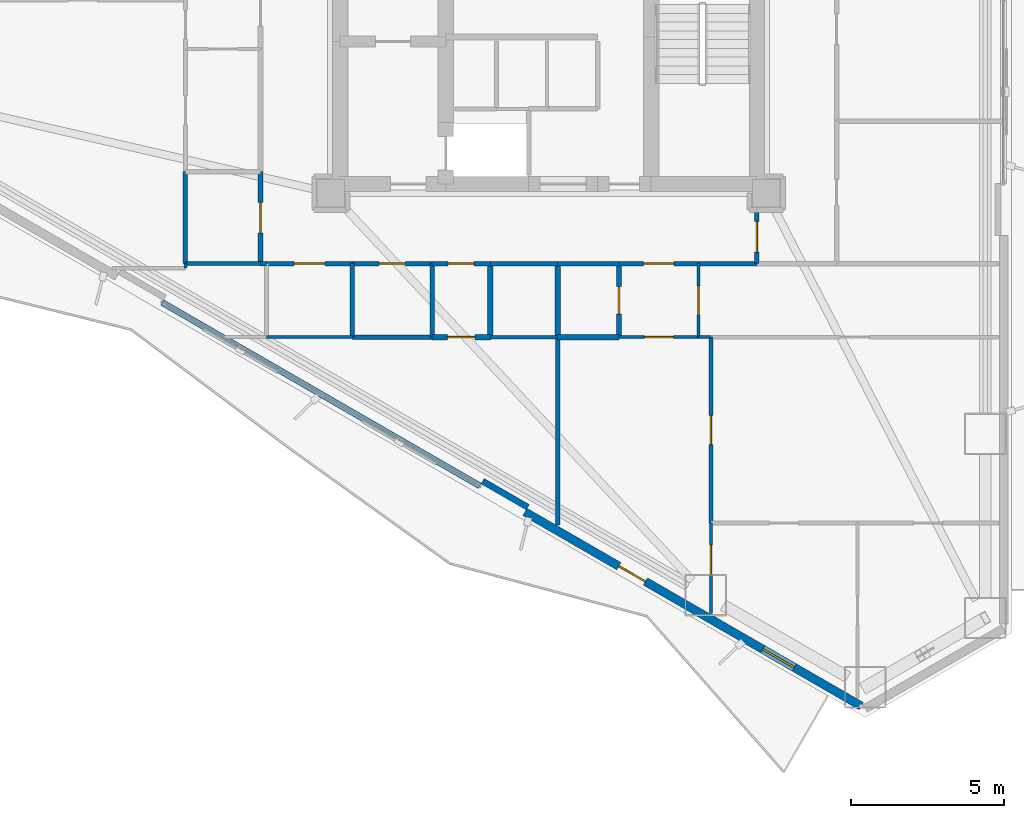
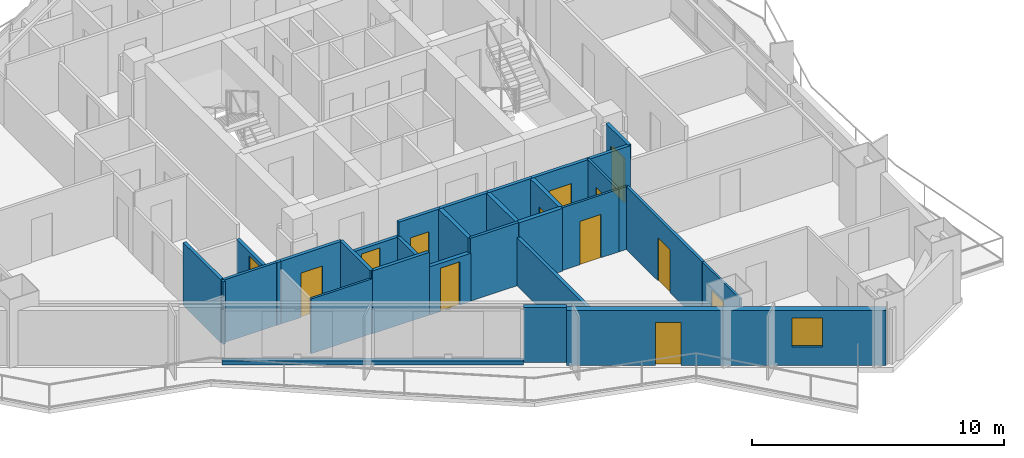
# One storey, part 12 of 19: 32 walls, 13 doors, 1 window, 14 openings.
"""IFC4 building model written with IfcOpenShell, lengths in metres."""

from ifc_helpers import new_model, si_unit, direction, frame, frame_2d, origin, place, context, subcontext, project, spatial, rectangle, extrude, material, layer, layer_set, type_object, element, fill, save


model = new_model("IFC4")

# Units and contexts
model_context = context("Model", 3, precision=1e-05, world=origin(), true_north=direction((0.0, 1.0)))
body_context = subcontext(model_context, "Body", "Model", "MODEL_VIEW")
ifc_project = project(units=[si_unit("LENGTHUNIT", "METRE"), si_unit("AREAUNIT", "SQUARE_METRE"), si_unit("VOLUMEUNIT", "CUBIC_METRE"), si_unit("PLANEANGLEUNIT", "RADIAN"), si_unit("MASSUNIT", "GRAM", prefix="KILO")], contexts=[model_context])

# Site, building, storey
site_placement = place(None, origin())
site = spatial("IfcSite", under=ifc_project, at=site_placement, CompositionType="ELEMENT")
building_placement = place(site_placement, origin())
building = spatial("IfcBuilding", under=site, at=building_placement, Name="Mersakhor Tower and Convention Hall", CompositionType="ELEMENT")
storey_placement = place(building_placement, frame((0.0, 0.0, 48.89990234375)))
storey = spatial("IfcBuildingStorey", under=building, at=storey_placement, Name="L13", CompositionType="ELEMENT", Elevation=48.89990234375)

# Wall, openings, door, window
ifc_material_1 = material(Name="Precast concrete C45/55", Category="concrete")
ifc_layer_1 = layer(ifc_material_1, 0.27490234375)
ifc_layer_set_1 = layer_set([ifc_layer_1], Name="Precast concrete C45/55")
wall_type_1 = type_object("IfcWallType", Name="WL-EXT-275", PredefinedType="SOLIDWALL", material=ifc_layer_set_1)
wall_1_placement = place(storey_placement, frame((39.20703125, 3.709716796875, 0.0), z_axis=(0.0, 0.0, 1.0), x_axis=(-0.86603192154, 0.499988710747, 0.0)))
wall_1 = element("IfcWall", 1, at=wall_1_placement, inside=storey, type_object=wall_type_1, Name="L13 Exterior Facade Wall F3-B1", PredefinedType="SOLIDWALL", context=body_context, shape_type="SweptSolid", body=[
    extrude(rectangle(XDim=12.673095703125, YDim=0.27490234375, at=frame_2d((6.33642578125, 0.0))), origin(), (0.0, 0.0, 1.0), 2.66015625),
])
opening_1_placement = place(wall_1_placement, frame((8.135986328125, 0.0, 0.0)))
opening_1 = element("IfcOpeningElement", 2, at=opening_1_placement, cuts=wall_1, Name="Opening BD-01", PredefinedType="OPENING", context=body_context, shape_type="SweptSolid", body=[
    extrude(rectangle(XDim=1.0, YDim=2.10009765625, at=frame_2d((0.5, 1.050048828125))), frame((0.0, 0.1474609375, 0.0), z_axis=(0.0, -1.0, 0.0), x_axis=(1.0, 0.0, 0.0)), (0.0, 0.0, 1.0), 0.294921875),
])
opening_2_placement = place(wall_1_placement, frame((2.51806640625, 0.0, 0.89990234375)))
opening_2 = element("IfcOpeningElement", 3, at=opening_2_placement, cuts=wall_1, Name="Opening W-01", PredefinedType="OPENING", context=body_context, shape_type="SweptSolid", body=[
    extrude(rectangle(XDim=1.199951171875, YDim=1.39990234375, at=frame_2d((0.60009765625, 0.699951171875))), frame((0.0, 0.1474609375, 0.0), z_axis=(0.0, -1.0, 0.0), x_axis=(1.0, 0.0, 0.0)), (0.0, 0.0, 1.0), 0.294921875),
])
ifc_material_2 = material(Name="Thermally broken dark aluminium and safety glass", Category="aluminium")
door_type_1 = type_object("IfcDoorType", Name="DR-BAL-100x210", OperationType="NOTDEFINED", PredefinedType="DOOR", material=ifc_material_2)
door_1_placement = place(opening_1_placement, origin())
door_1 = element("IfcDoor", 4, at=door_1_placement, inside=storey, type_object=door_type_1, Name="L13 Balcony Terrace Door F3-B1", OperationType="SINGLE_SWING_LEFT", OverallHeight=2.10009765625, OverallWidth=1.0, PredefinedType="DOOR", context=body_context, shape_type="SweptSolid", body=[
    extrude(rectangle(XDim=1.0, YDim=2.10009765625, at=frame_2d((0.5, 1.050048828125))), frame((0.0, 0.02490234375, 0.0), z_axis=(0.0, -1.0, 0.0), x_axis=(1.0, 0.0, 0.0)), (0.0, 0.0, 1.0), 0.050048828125),
])
fill(opening_1, door_1)
ifc_material_3 = material(Name="Dark solar low-E glazed aluminium window", Category="aluminium")
window_type = type_object("IfcWindowType", Name="WN-RES-120x150", PartitioningType="SINGLE_PANEL", PredefinedType="WINDOW", material=ifc_material_3)
window_placement = place(opening_2_placement, origin())
window = element("IfcWindow", 5, at=window_placement, inside=storey, type_object=window_type, Name="L13 Bedroom Facade Window F3-B1-1", OverallHeight=1.39990234375, OverallWidth=1.199951171875, PartitioningType="SINGLE_PANEL", PredefinedType="WINDOW", context=body_context, shape_type="SweptSolid", body=[
    extrude(rectangle(XDim=1.199951171875, YDim=1.39990234375, at=frame_2d((0.60009765625, 0.699951171875))), frame((0.0, 0.030029296875, 0.0), z_axis=(0.0, -1.0, 0.0), x_axis=(1.0, 0.0, 0.0)), (0.0, 0.0, 1.0), 0.06005859375),
])
fill(opening_2, window)

# Walls
ifc_material_4 = material(Name="Precast concrete C40/50", Category="concrete")
ifc_layer_2 = layer(ifc_material_4, 0.199951171875)
ifc_layer_set_2 = layer_set([ifc_layer_2], Name="Precast concrete C40/50")
wall_type_2 = type_object("IfcWallType", Name="WL-PAR-200", PredefinedType="PARAPET", material=ifc_layer_set_2)
wall_2_placement = place(storey_placement, frame((26.759521484375, 10.896240234375, 0.0), z_axis=(0.0, 0.0, 1.0), x_axis=(-0.866027351828, 0.499996625875, 0.0)))
element("IfcWall", 6, at=wall_2_placement, inside=storey, type_object=wall_type_2, Name="L13 Curtain Wall Upstand Sill F3-B2", PredefinedType="PARAPET", context=body_context, shape_type="SweptSolid", body=[
    extrude(rectangle(XDim=11.97314453125, YDim=0.199951171875, at=frame_2d((5.986572265625, 0.0))), origin(), (0.0, 0.0, 1.0), 0.2001953125),
])
wall_3_placement = place(storey_placement, frame((28.32177734375, 10.2021484375, 0.0), z_axis=(0.0, 0.0, 1.0), x_axis=(-0.86605165483, 0.499954529098, 0.0)))
element("IfcWall", 7, at=wall_3_placement, inside=storey, type_object=wall_type_2, Name="L13 Column Pier Cladding Wall F3-C1", PredefinedType="PARAPET", context=body_context, shape_type="SweptSolid", body=[
    extrude(rectangle(XDim=1.699951171875, YDim=0.199951171875, at=frame_2d((0.85009765625, 0.0))), origin(), (0.0, 0.0, 1.0), 2.66015625),
])

# Wall, opening, door
ifc_material_5 = material(Name="Moisture-resistant acoustic drywall studwork", Category="other")
ifc_layer_3 = layer(ifc_material_5, 0.175048828125)
ifc_layer_set_3 = layer_set([ifc_layer_3], Name="Moisture-resistant acoustic drywall studwork")
wall_type_3 = type_object("IfcWallType", Name="WL-PLM-175", PredefinedType="PLUMBINGWALL", material=ifc_layer_set_3)
wall_4_placement = place(storey_placement, frame((31.300048828125, 15.75, 0.0), z_axis=(0.0, 0.0, 1.0), x_axis=(0.0, 1.0, 0.0)))
wall_4 = element("IfcWall", 8, at=wall_4_placement, inside=storey, type_object=wall_type_3, Name="L13 Interior Partition Wall P-073", PredefinedType="PLUMBINGWALL", context=body_context, shape_type="SweptSolid", body=[
    extrude(rectangle(XDim=2.39990234375, YDim=0.175048828125, at=frame_2d((1.199951171875, 0.0))), origin(), (0.0, 0.0, 1.0), 3.0400390625),
])
opening_3_placement = place(wall_4_placement, frame((0.75, 0.0, 0.0)))
opening_3 = element("IfcOpeningElement", 9, at=opening_3_placement, cuts=wall_4, Name="Opening WD-01", PredefinedType="OPENING", context=body_context, shape_type="SweptSolid", body=[
    extrude(rectangle(XDim=0.89990234375, YDim=2.10009765625, at=frame_2d((0.449951171875, 1.050048828125))), frame((0.0, 0.097412109375, 0.0), z_axis=(0.0, -1.0, 0.0), x_axis=(1.0, 0.0, 0.0)), (0.0, 0.0, 1.0), 0.195068359375),
])
ifc_material_6 = material(Name="Solid-core hardwood leaf in painted steel frame", Category="steel")
door_type_2 = type_object("IfcDoorType", Name="DR-INT-WET-090x210", OperationType="NOTDEFINED", PredefinedType="DOOR", material=ifc_material_6)
door_2_placement = place(opening_3_placement, origin())
door_2 = element("IfcDoor", 10, at=door_2_placement, inside=storey, type_object=door_type_2, Name="L13 L13 Flat S4 Apartment Hall to L13 Flat S4 Bathroom Door", OperationType="SINGLE_SWING_RIGHT", OverallHeight=2.10009765625, OverallWidth=0.89990234375, PredefinedType="DOOR", context=body_context, shape_type="SweptSolid", body=[
    extrude(rectangle(XDim=0.89990234375, YDim=2.10009765625, at=frame_2d((0.449951171875, 1.050048828125))), frame((0.0, 0.02490234375, 0.0), z_axis=(0.0, -1.0, 0.0), x_axis=(1.0, 0.0, 0.0)), (0.0, 0.0, 1.0), 0.050048828125),
])
fill(opening_3, door_2)

wall_5_placement = place(storey_placement, frame((27.10009765625, 15.75, 0.0), z_axis=(0.0, 0.0, 1.0), x_axis=(-1.0, 0.0, 0.0)))
wall_5 = element("IfcWall", 11, at=wall_5_placement, inside=storey, type_object=wall_type_3, Name="L13 Interior Partition Wall P-087", PredefinedType="PLUMBINGWALL", context=body_context, shape_type="SweptSolid", body=[
    extrude(rectangle(XDim=1.900146484375, YDim=0.175048828125, at=frame_2d((0.9501953125, 0.0))), origin(), (0.0, 0.0, 1.0), 2.337646484375),
])
opening_4_placement = place(wall_5_placement, frame((0.5, 0.0, 0.0)))
opening_4 = element("IfcOpeningElement", 12, at=opening_4_placement, cuts=wall_5, Name="Opening WD-01", PredefinedType="OPENING", context=body_context, shape_type="SweptSolid", body=[
    extrude(rectangle(XDim=0.89990234375, YDim=2.10009765625, at=frame_2d((0.449951171875, 1.050048828125))), frame((0.0, 0.097412109375, 0.0), z_axis=(0.0, -1.0, 0.0), x_axis=(1.0, 0.0, 0.0)), (0.0, 0.0, 1.0), 0.195068359375),
])
door_3_placement = place(opening_4_placement, origin())
door_3 = element("IfcDoor", 13, at=door_3_placement, inside=storey, type_object=door_type_2, Name="L13 L13 Floor Shared Restroom WC 3-2 to L13 Floor Residents Study Room 3-4 Door", OperationType="SINGLE_SWING_LEFT", OverallHeight=2.10009765625, OverallWidth=0.89990234375, PredefinedType="DOOR", context=body_context, shape_type="SweptSolid", body=[
    extrude(rectangle(XDim=0.89990234375, YDim=2.10009765625, at=frame_2d((0.449951171875, 1.050048828125))), frame((0.0, 0.02490234375, 0.0), z_axis=(0.0, -1.0, 0.0), x_axis=(1.0, 0.0, 0.0)), (0.0, 0.0, 1.0), 0.050048828125),
])
fill(opening_4, door_3)

# Walls
wall_6_placement = place(storey_placement, frame((27.10009765625, 18.14990234375, 0.0), z_axis=(0.0, 0.0, 1.0), x_axis=(0.0, -1.0, 0.0)))
element("IfcWall", 14, at=wall_6_placement, inside=storey, type_object=wall_type_3, Name="L13 Interior Partition Wall P-089", PredefinedType="PLUMBINGWALL", context=body_context, shape_type="SweptSolid", body=[
    extrude(rectangle(XDim=2.39990234375, YDim=0.175048828125, at=frame_2d((1.199951171875, 0.0))), origin(), (0.0, 0.0, 1.0), 3.0400390625),
])
wall_7_placement = place(storey_placement, frame((31.300048828125, 15.75, 0.0), z_axis=(0.0, 0.0, 1.0), x_axis=(-1.0, 0.0, 0.0)))
element("IfcWall", 15, at=wall_7_placement, inside=storey, type_object=wall_type_3, Name="L13 Interior Partition Wall P-090", PredefinedType="PLUMBINGWALL", context=body_context, shape_type="SweptSolid", body=[
    extrude(rectangle(XDim=2.0, YDim=0.175048828125, at=frame_2d((1.0, 0.0))), origin(), (0.0, 0.0, 1.0), 3.0400390625),
])
wall_8_placement = place(storey_placement, frame((29.300048828125, 15.75, 0.0), z_axis=(0.0, 0.0, 1.0), x_axis=(0.0, 1.0, 0.0)))
element("IfcWall", 16, at=wall_8_placement, inside=storey, type_object=wall_type_3, Name="L13 Interior Partition Wall P-091", PredefinedType="PLUMBINGWALL", context=body_context, shape_type="SweptSolid", body=[
    extrude(rectangle(XDim=2.39990234375, YDim=0.175048828125, at=frame_2d((1.199951171875, 0.0))), origin(), (0.0, 0.0, 1.0), 3.0400390625),
])

# Wall, opening, door
ifc_material_7 = material(Name="Lightweight gypsum partition", Category="other")
ifc_layer_4 = layer(ifc_material_7, 0.10009765625)
ifc_layer_set_4 = layer_set([ifc_layer_4], Name="Lightweight gypsum partition")
wall_type_4 = type_object("IfcWallType", Name="WL-PRT-100", PredefinedType="PARTITIONING", material=ifc_layer_set_4)
wall_9_placement = place(storey_placement, frame((33.89990234375, 15.75, 0.0), z_axis=(0.0, 0.0, 1.0), x_axis=(-1.0, 0.0, 0.0)))
wall_9 = element("IfcWall", 17, at=wall_9_placement, inside=storey, type_object=wall_type_4, Name="L13 Interior Partition Wall P-072", PredefinedType="PARTITIONING", context=body_context, shape_type="SweptSolid", body=[
    extrude(rectangle(XDim=2.599853515625, YDim=0.10009765625, at=frame_2d((1.2998046875, 0.0))), origin(), (0.0, 0.0, 1.0), 3.0400390625),
])
opening_5_placement = place(wall_9_placement, frame((0.824951171875, 0.0, 0.0)))
opening_5 = element("IfcOpeningElement", 18, at=opening_5_placement, cuts=wall_9, Name="Opening RD-01", PredefinedType="OPENING", context=body_context, shape_type="SweptSolid", body=[
    extrude(rectangle(XDim=0.949951171875, YDim=2.10009765625, at=frame_2d((0.47509765625, 1.050048828125))), frame((0.0, 0.06005859375, 0.0), z_axis=(0.0, -1.0, 0.0), x_axis=(1.0, 0.0, 0.0)), (0.0, 0.0, 1.0), 0.1201171875),
])
ifc_material_8 = material(Name="Solid-core hardwood leaf in painted steel frame", Category="steel")
door_type_3 = type_object("IfcDoorType", Name="DR-INT-RM-095x210", OperationType="NOTDEFINED", PredefinedType="DOOR", material=ifc_material_8)
door_4_placement = place(opening_5_placement, origin())
door_4 = element("IfcDoor", 19, at=door_4_placement, inside=storey, type_object=door_type_3, Name="L13 L13 Flat S4 Apartment Hall to L13 Flat S4 Living and Dining Room Door", OperationType="SINGLE_SWING_RIGHT", OverallHeight=2.10009765625, OverallWidth=0.949951171875, PredefinedType="DOOR", context=body_context, shape_type="SweptSolid", body=[
    extrude(rectangle(XDim=0.949951171875, YDim=2.10009765625, at=frame_2d((0.47509765625, 1.050048828125))), frame((0.0, 0.02490234375, 0.0), z_axis=(0.0, -1.0, 0.0), x_axis=(1.0, 0.0, 0.0)), (0.0, 0.0, 1.0), 0.050048828125),
])
fill(opening_5, door_4)

wall_10_placement = place(storey_placement, frame((33.89990234375, 18.14990234375, 0.0), z_axis=(0.0, 0.0, 1.0), x_axis=(0.0, -1.0, 0.0)))
wall_10 = element("IfcWall", 20, at=wall_10_placement, inside=storey, type_object=wall_type_4, Name="L13 Interior Partition Wall P-074", PredefinedType="PARTITIONING", context=body_context, shape_type="SweptSolid", body=[
    extrude(rectangle(XDim=2.39990234375, YDim=0.10009765625, at=frame_2d((1.199951171875, 0.0))), origin(), (0.0, 0.0, 1.0), 3.0400390625),
])
opening_6_placement = place(wall_10_placement, frame((0.72509765625, 0.0, 0.0)))
opening_6 = element("IfcOpeningElement", 21, at=opening_6_placement, cuts=wall_10, Name="Opening RD-01", PredefinedType="OPENING", context=body_context, shape_type="SweptSolid", body=[
    extrude(rectangle(XDim=0.949951171875, YDim=2.10009765625, at=frame_2d((0.47509765625, 1.050048828125))), frame((0.0, 0.06005859375, 0.0), z_axis=(0.0, -1.0, 0.0), x_axis=(1.0, 0.0, 0.0)), (0.0, 0.0, 1.0), 0.1201171875),
])
door_5_placement = place(opening_6_placement, origin())
door_5 = element("IfcDoor", 22, at=door_5_placement, inside=storey, type_object=door_type_3, Name="L13 L13 Flat S4 Apartment Hall to L13 Flat S4 Kitchen Door", OperationType="SINGLE_SWING_LEFT", OverallHeight=2.10009765625, OverallWidth=0.949951171875, PredefinedType="DOOR", context=body_context, shape_type="SweptSolid", body=[
    extrude(rectangle(XDim=0.949951171875, YDim=2.10009765625, at=frame_2d((0.47509765625, 1.050048828125))), frame((0.0, 0.02490234375, 0.0), z_axis=(0.0, -1.0, 0.0), x_axis=(1.0, 0.0, 0.0)), (0.0, 0.0, 1.0), 0.050048828125),
])
fill(opening_6, door_5)

# Walls
wall_11_placement = place(storey_placement, frame((34.300048828125, 15.75, 0.0), z_axis=(0.0, 0.0, 1.0), x_axis=(-1.0, 0.0, 0.0)))
element("IfcWall", 23, at=wall_11_placement, inside=storey, type_object=wall_type_4, Name="L13 Interior Partition Wall P-094", PredefinedType="PARTITIONING", context=body_context, shape_type="SweptSolid", body=[
    extrude(rectangle(XDim=0.400146484375, YDim=0.10009765625, at=frame_2d((0.2001953125, 0.0))), origin(), (0.0, 0.0, 1.0), 3.0400390625),
])
wall_12_placement = place(storey_placement, frame((22.60009765625, 15.75, 0.0), z_axis=(0.0, 0.0, 1.0), x_axis=(-1.0, 0.0, 0.0)))
element("IfcWall", 24, at=wall_12_placement, inside=storey, type_object=wall_type_4, Name="L13 Interior Partition Wall P-112", PredefinedType="PARTITIONING", context=body_context, shape_type="SweptSolid", body=[
    extrude(rectangle(XDim=2.800048828125, YDim=0.10009765625, at=frame_2d((1.39990234375, 0.0))), origin(), (0.0, 0.0, 1.0), 2.650390625),
])

# Wall, opening, door
wall_13_placement = place(storey_placement, frame((34.300048828125, 9.68994140625, 0.0), z_axis=(0.0, 0.0, 1.0), x_axis=(0.0, -1.0, 0.0)))
wall_13 = element("IfcWall", 25, at=wall_13_placement, inside=storey, type_object=wall_type_4, Name="L13 Interior Partition Wall P-118", PredefinedType="PARTITIONING", context=body_context, shape_type="SweptSolid", body=[
    extrude(rectangle(XDim=2.960693359375, YDim=0.10009765625, at=frame_2d((1.48046875, 0.0))), origin(), (0.0, 0.0, 1.0), 3.0400390625),
])
opening_7_placement = place(wall_13_placement, frame((0.727783203125, 0.0, 0.0)))
opening_7 = element("IfcOpeningElement", 26, at=opening_7_placement, cuts=wall_13, Name="Opening RD-01", PredefinedType="OPENING", context=body_context, shape_type="SweptSolid", body=[
    extrude(rectangle(XDim=0.949951171875, YDim=2.10009765625, at=frame_2d((0.47509765625, 1.050048828125))), frame((0.0, 0.06005859375, 0.0), z_axis=(0.0, -1.0, 0.0), x_axis=(1.0, 0.0, 0.0)), (0.0, 0.0, 1.0), 0.1201171875),
])
door_6_placement = place(opening_7_placement, origin())
door_6 = element("IfcDoor", 27, at=door_6_placement, inside=storey, type_object=door_type_3, Name="L13 L13 Flat S4 Living and Dining Room to L13 Flat S4 Bedroom 1 Door", OperationType="SINGLE_SWING_RIGHT", OverallHeight=2.10009765625, OverallWidth=0.949951171875, PredefinedType="DOOR", context=body_context, shape_type="SweptSolid", body=[
    extrude(rectangle(XDim=0.949951171875, YDim=2.10009765625, at=frame_2d((0.47509765625, 1.050048828125))), frame((0.0, 0.02490234375, 0.0), z_axis=(0.0, -1.0, 0.0), x_axis=(1.0, 0.0, 0.0)), (0.0, 0.0, 1.0), 0.050048828125),
])
fill(opening_7, door_6)

# Walls
wall_14_placement = place(storey_placement, frame((17.14990234375, 18.14990234375, 0.0), z_axis=(0.0, 0.0, 1.0), x_axis=(0.0, -1.0, 0.0)))
element("IfcWall", 28, at=wall_14_placement, inside=storey, type_object=wall_type_4, Name="L13 Interior Partition Wall P-130", PredefinedType="PARTITIONING", context=body_context, shape_type="SweptSolid", body=[
    extrude(rectangle(XDim=0.14990234375, YDim=0.10009765625, at=frame_2d((0.074951171875, 0.0))), origin(), (0.0, 0.0, 1.0), 3.0400390625),
])
ifc_material_9 = material(Name="Gypsum board acoustic partition", Category="other")
ifc_layer_5 = layer(ifc_material_9, 0.125)
ifc_layer_set_5 = layer_set([ifc_layer_5], Name="Gypsum board acoustic partition")
wall_type_5 = type_object("IfcWallType", Name="WL-PRT-125", PredefinedType="PARTITIONING", material=ifc_layer_set_5)
wall_15_placement = place(storey_placement, frame((19.60009765625, 18.14990234375, 0.0), z_axis=(0.0, 0.0, 1.0), x_axis=(-1.0, 0.0, 0.0)))
element("IfcWall", 29, at=wall_15_placement, inside=storey, type_object=wall_type_5, Name="L13 Interior Partition Wall P-105", PredefinedType="PARTITIONING", context=body_context, shape_type="SweptSolid", body=[
    extrude(rectangle(XDim=2.4501953125, YDim=0.125, at=frame_2d((1.22509765625, 0.0))), origin(), (0.0, 0.0, 1.0), 3.0400390625),
])
wall_16_placement = place(storey_placement, frame((27.10009765625, 15.75, 0.0), z_axis=(0.0, 0.0, 1.0), x_axis=(1.0, 0.0, 0.0)))
element("IfcWall", 30, at=wall_16_placement, inside=storey, type_object=wall_type_5, Name="L13 Interior Partition Wall P-115", PredefinedType="PARTITIONING", context=body_context, shape_type="SweptSolid", body=[
    extrude(rectangle(XDim=2.199951171875, YDim=0.125, at=frame_2d((1.10009765625, 0.0))), origin(), (0.0, 0.0, 1.0), 3.0400390625),
])

# Wall, opening, door
wall_17_placement = place(storey_placement, frame((34.300048828125, 15.75, 0.0), z_axis=(0.0, 0.0, 1.0), x_axis=(0.0, -1.0, 0.0)))
wall_17 = element("IfcWall", 31, at=wall_17_placement, inside=storey, type_object=wall_type_5, Name="L13 Interior Partition Wall P-117", PredefinedType="PARTITIONING", context=body_context, shape_type="SweptSolid", body=[
    extrude(rectangle(XDim=6.06005859375, YDim=0.125, at=frame_2d((3.030029296875, 0.0))), origin(), (0.0, 0.0, 1.0), 3.0400390625),
])
opening_8_placement = place(wall_17_placement, frame((2.554931640625, 0.0, 0.0)))
opening_8 = element("IfcOpeningElement", 32, at=opening_8_placement, cuts=wall_17, Name="Opening RD-01", PredefinedType="OPENING", context=body_context, shape_type="SweptSolid", body=[
    extrude(rectangle(XDim=0.949951171875, YDim=2.10009765625, at=frame_2d((0.47509765625, 1.050048828125))), frame((0.0, 0.072509765625, 0.0), z_axis=(0.0, -1.0, 0.0), x_axis=(1.0, 0.0, 0.0)), (0.0, 0.0, 1.0), 0.14501953125),
])
door_7_placement = place(opening_8_placement, origin())
door_7 = element("IfcDoor", 33, at=door_7_placement, inside=storey, type_object=door_type_3, Name="L13 L13 Flat S4 Living and Dining Room to L13 Flat S4 Dining Room Door", OperationType="SINGLE_SWING_LEFT", OverallHeight=2.10009765625, OverallWidth=0.949951171875, PredefinedType="DOOR", context=body_context, shape_type="SweptSolid", body=[
    extrude(rectangle(XDim=0.949951171875, YDim=2.10009765625, at=frame_2d((0.47509765625, 1.050048828125))), frame((0.0, 0.02490234375, 0.0), z_axis=(0.0, -1.0, 0.0), x_axis=(1.0, 0.0, 0.0)), (0.0, 0.0, 1.0), 0.050048828125),
])
fill(opening_8, door_7)

ifc_material_10 = material(Name="Fire-rated gypsum board stud partition", Category="other")
ifc_layer_6 = layer(ifc_material_10, 0.14990234375)
ifc_layer_set_6 = layer_set([ifc_layer_6], Name="Fire-rated gypsum board stud partition")
wall_type_6 = type_object("IfcWallType", Name="WL-PRT-150", PredefinedType="PARTITIONING", material=ifc_layer_set_6)
wall_18_placement = place(storey_placement, frame((35.800048828125, 19.89990234375, 0.0), z_axis=(0.0, 0.0, 1.0), x_axis=(0.0, -1.0, 0.0)))
wall_18 = element("IfcWall", 34, at=wall_18_placement, inside=storey, type_object=wall_type_6, Name="L13 Interior Partition Wall P-023", PredefinedType="PARTITIONING", context=body_context, shape_type="SweptSolid", body=[
    extrude(rectangle(XDim=1.75, YDim=0.14990234375, at=frame_2d((0.875, 0.0))), origin(), (0.0, 0.0, 1.0), 3.0400390625),
])
opening_9_placement = place(wall_18_placement, frame((0.375, 0.0, 0.0)))
opening_9 = element("IfcOpeningElement", 35, at=opening_9_placement, cuts=wall_18, Name="Opening FD-01", PredefinedType="OPENING", context=body_context, shape_type="SweptSolid", body=[
    extrude(rectangle(XDim=1.0, YDim=2.14990234375, at=frame_2d((0.5, 1.074951171875))), frame((0.0, 0.0849609375, 0.0), z_axis=(0.0, -1.0, 0.0), x_axis=(1.0, 0.0, 0.0)), (0.0, 0.0, 1.0), 0.169921875),
])
ifc_material_11 = material(Name="Fire-rated hardwood leaf and painted steel frame", Category="steel")
door_type_4 = type_object("IfcDoorType", Name="DR-INT-FLT-100x215", OperationType="NOTDEFINED", PredefinedType="DOOR", material=ifc_material_11)
door_8_placement = place(opening_9_placement, origin())
door_8 = element("IfcDoor", 36, at=door_8_placement, inside=storey, type_object=door_type_4, Name="L13 Ring Corridor Fire Door", OperationType="SINGLE_SWING_RIGHT", OverallHeight=2.14990234375, OverallWidth=1.0, PredefinedType="DOOR", context=body_context, shape_type="SweptSolid", body=[
    extrude(rectangle(XDim=1.0, YDim=2.14990234375, at=frame_2d((0.5, 1.074951171875))), frame((0.0, 0.02490234375, 0.0), z_axis=(0.0, -1.0, 0.0), x_axis=(1.0, 0.0, 0.0)), (0.0, 0.0, 1.0), 0.050048828125),
])
fill(opening_9, door_8)

# Wall
wall_19_placement = place(storey_placement, frame((35.800048828125, 18.14990234375, 0.0), z_axis=(0.0, 0.0, 1.0), x_axis=(-1.0, 0.0, 0.0)))
element("IfcWall", 37, at=wall_19_placement, inside=storey, type_object=wall_type_6, Name="L13 Interior Partition Wall P-024", PredefinedType="PARTITIONING", context=body_context, shape_type="SweptSolid", body=[
    extrude(rectangle(XDim=1.900146484375, YDim=0.14990234375, at=frame_2d((0.9501953125, 0.0))), origin(), (0.0, 0.0, 1.0), 3.0400390625),
])

# Wall, opening, door
wall_20_placement = place(storey_placement, frame((33.89990234375, 18.14990234375, 0.0), z_axis=(0.0, 0.0, 1.0), x_axis=(-1.0, 0.0, 0.0)))
wall_20 = element("IfcWall", 38, at=wall_20_placement, inside=storey, type_object=wall_type_6, Name="L13 Interior Partition Wall P-025", PredefinedType="PARTITIONING", context=body_context, shape_type="SweptSolid", body=[
    extrude(rectangle(XDim=2.599853515625, YDim=0.14990234375, at=frame_2d((1.2998046875, 0.0))), origin(), (0.0, 0.0, 1.0), 3.0400390625),
])
opening_10_placement = place(wall_20_placement, frame((0.800048828125, 0.0, 0.0)))
opening_10 = element("IfcOpeningElement", 39, at=opening_10_placement, cuts=wall_20, Name="Opening FD-01", PredefinedType="OPENING", context=body_context, shape_type="SweptSolid", body=[
    extrude(rectangle(XDim=1.0, YDim=2.14990234375, at=frame_2d((0.5, 1.074951171875))), frame((0.0, 0.0849609375, 0.0), z_axis=(0.0, -1.0, 0.0), x_axis=(1.0, 0.0, 0.0)), (0.0, 0.0, 1.0), 0.169921875),
])
door_9_placement = place(opening_10_placement, origin())
door_9 = element("IfcDoor", 40, at=door_9_placement, inside=storey, type_object=door_type_4, Name="L13 Apartment Entrance Door (Residential Ring Corridor to L13 Flat S4 Apartment Hall)", OperationType="SINGLE_SWING_RIGHT", OverallHeight=2.14990234375, OverallWidth=1.0, PredefinedType="DOOR", context=body_context, shape_type="SweptSolid", body=[
    extrude(rectangle(XDim=1.0, YDim=2.14990234375, at=frame_2d((0.5, 1.074951171875))), frame((0.0, 0.02490234375, 0.0), z_axis=(0.0, -1.0, 0.0), x_axis=(1.0, 0.0, 0.0)), (0.0, 0.0, 1.0), 0.050048828125),
])
fill(opening_10, door_9)

# Walls
wall_21_placement = place(storey_placement, frame((31.300048828125, 18.14990234375, 0.0), z_axis=(0.0, 0.0, 1.0), x_axis=(-1.0, 0.0, 0.0)))
element("IfcWall", 41, at=wall_21_placement, inside=storey, type_object=wall_type_6, Name="L13 Interior Partition Wall P-026", PredefinedType="PARTITIONING", context=body_context, shape_type="SweptSolid", body=[
    extrude(rectangle(XDim=2.0, YDim=0.14990234375, at=frame_2d((1.0, 0.0))), origin(), (0.0, 0.0, 1.0), 3.0400390625),
])
wall_22_placement = place(storey_placement, frame((29.300048828125, 18.14990234375, 0.0), z_axis=(0.0, 0.0, 1.0), x_axis=(-1.0, 0.0, 0.0)))
element("IfcWall", 42, at=wall_22_placement, inside=storey, type_object=wall_type_6, Name="L13 Interior Partition Wall P-027", PredefinedType="PARTITIONING", context=body_context, shape_type="SweptSolid", body=[
    extrude(rectangle(XDim=2.199951171875, YDim=0.14990234375, at=frame_2d((1.10009765625, 0.0))), origin(), (0.0, 0.0, 1.0), 3.0400390625),
])

# Wall, opening, door
wall_23_placement = place(storey_placement, frame((27.10009765625, 18.14990234375, 0.0), z_axis=(0.0, 0.0, 1.0), x_axis=(-1.0, 0.0, 0.0)))
wall_23 = element("IfcWall", 43, at=wall_23_placement, inside=storey, type_object=wall_type_6, Name="L13 Interior Partition Wall P-028", PredefinedType="PARTITIONING", context=body_context, shape_type="SweptSolid", body=[
    extrude(rectangle(XDim=1.900146484375, YDim=0.14990234375, at=frame_2d((0.9501953125, 0.0))), origin(), (0.0, 0.0, 1.0), 3.0400390625),
])
opening_11_placement = place(wall_23_placement, frame((0.52490234375, 0.0, 0.0)))
opening_11 = element("IfcOpeningElement", 44, at=opening_11_placement, cuts=wall_23, Name="Opening SVD-01", PredefinedType="OPENING", context=body_context, shape_type="SweptSolid", body=[
    extrude(rectangle(XDim=0.85009765625, YDim=2.10009765625, at=frame_2d((0.425048828125, 1.050048828125))), frame((0.0, 0.0849609375, 0.0), z_axis=(0.0, -1.0, 0.0), x_axis=(1.0, 0.0, 0.0)), (0.0, 0.0, 1.0), 0.169921875),
])
ifc_material_12 = material(Name="Fire-rated hardwood leaf and painted steel frame", Category="steel")
door_type_5 = type_object("IfcDoorType", Name="DR-INT-SVC-085x210", OperationType="NOTDEFINED", PredefinedType="DOOR", material=ifc_material_12)
door_10_placement = place(opening_11_placement, origin())
door_10 = element("IfcDoor", 45, at=door_10_placement, inside=storey, type_object=door_type_5, Name="L13 Residential Ring Corridor to L13 Floor Shared Restroom WC 3-2 Door", OperationType="SINGLE_SWING_RIGHT", OverallHeight=2.10009765625, OverallWidth=0.85009765625, PredefinedType="DOOR", context=body_context, shape_type="SweptSolid", body=[
    extrude(rectangle(XDim=0.85009765625, YDim=2.10009765625, at=frame_2d((0.425048828125, 1.050048828125))), frame((0.0, 0.02490234375, 0.0), z_axis=(0.0, -1.0, 0.0), x_axis=(1.0, 0.0, 0.0)), (0.0, 0.0, 1.0), 0.050048828125),
])
fill(opening_11, door_10)

wall_24_placement = place(storey_placement, frame((25.199951171875, 18.14990234375, 0.0), z_axis=(0.0, 0.0, 1.0), x_axis=(-1.0, 0.0, 0.0)))
wall_24 = element("IfcWall", 46, at=wall_24_placement, inside=storey, type_object=wall_type_6, Name="L13 Interior Partition Wall P-029", PredefinedType="PARTITIONING", context=body_context, shape_type="SweptSolid", body=[
    extrude(rectangle(XDim=2.599853515625, YDim=0.14990234375, at=frame_2d((1.2998046875, 0.0))), origin(), (0.0, 0.0, 1.0), 2.337646484375),
])
opening_12_placement = place(wall_24_placement, frame((0.875, 0.0, 0.0)))
opening_12 = element("IfcOpeningElement", 47, at=opening_12_placement, cuts=wall_24, Name="Opening SVD-01", PredefinedType="OPENING", context=body_context, shape_type="SweptSolid", body=[
    extrude(rectangle(XDim=0.85009765625, YDim=2.10009765625, at=frame_2d((0.425048828125, 1.050048828125))), frame((0.0, 0.0849609375, 0.0), z_axis=(0.0, -1.0, 0.0), x_axis=(1.0, 0.0, 0.0)), (0.0, 0.0, 1.0), 0.169921875),
])
door_11_placement = place(opening_12_placement, origin())
door_11 = element("IfcDoor", 48, at=door_11_placement, inside=storey, type_object=door_type_5, Name="L13 Residential Ring Corridor to L13 Floor Household Store Room 3-1 Door", OperationType="SINGLE_SWING_RIGHT", OverallHeight=2.10009765625, OverallWidth=0.85009765625, PredefinedType="DOOR", context=body_context, shape_type="SweptSolid", body=[
    extrude(rectangle(XDim=0.85009765625, YDim=2.10009765625, at=frame_2d((0.425048828125, 1.050048828125))), frame((0.0, 0.02490234375, 0.0), z_axis=(0.0, -1.0, 0.0), x_axis=(1.0, 0.0, 0.0)), (0.0, 0.0, 1.0), 0.050048828125),
])
fill(opening_12, door_11)

wall_25_placement = place(storey_placement, frame((22.60009765625, 18.14990234375, 0.0), z_axis=(0.0, 0.0, 1.0), x_axis=(-1.0, 0.0, 0.0)))
wall_25 = element("IfcWall", 49, at=wall_25_placement, inside=storey, type_object=wall_type_6, Name="L13 Interior Partition Wall P-030", PredefinedType="PARTITIONING", context=body_context, shape_type="SweptSolid", body=[
    extrude(rectangle(XDim=2.800048828125, YDim=0.14990234375, at=frame_2d((1.39990234375, 0.0))), origin(), (0.0, 0.0, 1.0), 3.0400390625),
])
opening_13_placement = place(wall_25_placement, frame((0.89990234375, 0.0, 0.0)))
opening_13 = element("IfcOpeningElement", 50, at=opening_13_placement, cuts=wall_25, Name="Opening FD-01", PredefinedType="OPENING", context=body_context, shape_type="SweptSolid", body=[
    extrude(rectangle(XDim=1.0, YDim=2.14990234375, at=frame_2d((0.5, 1.074951171875))), frame((0.0, 0.0849609375, 0.0), z_axis=(0.0, -1.0, 0.0), x_axis=(1.0, 0.0, 0.0)), (0.0, 0.0, 1.0), 0.169921875),
])
door_12_placement = place(opening_13_placement, origin())
door_12 = element("IfcDoor", 51, at=door_12_placement, inside=storey, type_object=door_type_4, Name="L13 Residential Ring Corridor to L13 Floor Shared Tea Pantry 3-3 Door", OperationType="SINGLE_SWING_LEFT", OverallHeight=2.14990234375, OverallWidth=1.0, PredefinedType="DOOR", context=body_context, shape_type="SweptSolid", body=[
    extrude(rectangle(XDim=1.0, YDim=2.14990234375, at=frame_2d((0.5, 1.074951171875))), frame((0.0, 0.02490234375, 0.0), z_axis=(0.0, -1.0, 0.0), x_axis=(1.0, 0.0, 0.0)), (0.0, 0.0, 1.0), 0.050048828125),
])
fill(opening_13, door_12)

# Wall
wall_26_placement = place(storey_placement, frame((19.800048828125, 18.14990234375, 0.0), z_axis=(0.0, 0.0, 1.0), x_axis=(-1.0, 0.0, 0.0)))
element("IfcWall", 52, at=wall_26_placement, inside=storey, type_object=wall_type_6, Name="L13 Interior Partition Wall P-031", PredefinedType="PARTITIONING", context=body_context, shape_type="SweptSolid", body=[
    extrude(rectangle(XDim=0.199951171875, YDim=0.14990234375, at=frame_2d((0.10009765625, 0.0))), origin(), (0.0, 0.0, 1.0), 3.0400390625),
])

# Wall, opening, door
wall_27_placement = place(storey_placement, frame((19.60009765625, 18.14990234375, 0.0), z_axis=(0.0, 0.0, 1.0), x_axis=(0.0, 1.0, 0.0)))
wall_27 = element("IfcWall", 53, at=wall_27_placement, inside=storey, type_object=wall_type_6, Name="L13 Interior Partition Wall P-032", PredefinedType="PARTITIONING", context=body_context, shape_type="SweptSolid", body=[
    extrude(rectangle(XDim=3.0, YDim=0.14990234375, at=frame_2d((1.5, 0.0))), origin(), (0.0, 0.0, 1.0), 2.337646484375),
])
opening_14_placement = place(wall_27_placement, frame((1.0, 0.0, 0.0)))
opening_14 = element("IfcOpeningElement", 54, at=opening_14_placement, cuts=wall_27, Name="Opening FD-01", PredefinedType="OPENING", context=body_context, shape_type="SweptSolid", body=[
    extrude(rectangle(XDim=1.0, YDim=2.14990234375, at=frame_2d((0.5, 1.074951171875))), frame((0.0, 0.0849609375, 0.0), z_axis=(0.0, -1.0, 0.0), x_axis=(1.0, 0.0, 0.0)), (0.0, 0.0, 1.0), 0.169921875),
])
door_13_placement = place(opening_14_placement, origin())
door_13 = element("IfcDoor", 55, at=door_13_placement, inside=storey, type_object=door_type_4, Name="L13 Residential Ring Corridor to L13 West Wing Shared Laundry Room Door", OperationType="SINGLE_SWING_LEFT", OverallHeight=2.14990234375, OverallWidth=1.0, PredefinedType="DOOR", context=body_context, shape_type="SweptSolid", body=[
    extrude(rectangle(XDim=1.0, YDim=2.14990234375, at=frame_2d((0.5, 1.074951171875))), frame((0.0, 0.02490234375, 0.0), z_axis=(0.0, -1.0, 0.0), x_axis=(1.0, 0.0, 0.0)), (0.0, 0.0, 1.0), 0.050048828125),
])
fill(opening_14, door_13)

# Walls
wall_28_placement = place(storey_placement, frame((25.199951171875, 15.75, 0.0), z_axis=(0.0, 0.0, 1.0), x_axis=(0.0, 1.0, 0.0)))
element("IfcWall", 56, at=wall_28_placement, inside=storey, type_object=wall_type_6, Name="L13 Interior Partition Wall P-088", PredefinedType="PARTITIONING", context=body_context, shape_type="SweptSolid", body=[
    extrude(rectangle(XDim=2.39990234375, YDim=0.14990234375, at=frame_2d((1.199951171875, 0.0))), origin(), (0.0, 0.0, 1.0), 2.337646484375),
])
wall_29_placement = place(storey_placement, frame((17.14990234375, 18.14990234375, 0.0), z_axis=(0.0, 0.0, 1.0), x_axis=(0.0, 1.0, 0.0)))
element("IfcWall", 57, at=wall_29_placement, inside=storey, type_object=wall_type_6, Name="L13 Interior Partition Wall P-104", PredefinedType="PARTITIONING", context=body_context, shape_type="SweptSolid", body=[
    extrude(rectangle(XDim=3.0, YDim=0.14990234375, at=frame_2d((1.5, 0.0))), origin(), (0.0, 0.0, 1.0), 3.0400390625),
])
wall_30_placement = place(storey_placement, frame((25.199951171875, 15.75, 0.0), z_axis=(0.0, 0.0, 1.0), x_axis=(-1.0, 0.0, 0.0)))
element("IfcWall", 58, at=wall_30_placement, inside=storey, type_object=wall_type_6, Name="L13 Interior Partition Wall P-110", PredefinedType="PARTITIONING", context=body_context, shape_type="SweptSolid", body=[
    extrude(rectangle(XDim=2.599853515625, YDim=0.14990234375, at=frame_2d((1.2998046875, 0.0))), origin(), (0.0, 0.0, 1.0), 3.0400390625),
])
wall_31_placement = place(storey_placement, frame((22.60009765625, 15.75, 0.0), z_axis=(0.0, 0.0, 1.0), x_axis=(0.0, 1.0, 0.0)))
element("IfcWall", 59, at=wall_31_placement, inside=storey, type_object=wall_type_6, Name="L13 Interior Partition Wall P-111", PredefinedType="PARTITIONING", context=body_context, shape_type="SweptSolid", body=[
    extrude(rectangle(XDim=2.39990234375, YDim=0.14990234375, at=frame_2d((1.199951171875, 0.0))), origin(), (0.0, 0.0, 1.0), 3.0400390625),
])
wall_32_placement = place(storey_placement, frame((29.300048828125, 15.75, 0.0), z_axis=(0.0, 0.0, 1.0), x_axis=(0.0, -1.0, 0.0)))
element("IfcWall", 60, at=wall_32_placement, inside=storey, type_object=wall_type_6, Name="L13 Interior Partition Wall P-116", PredefinedType="PARTITIONING", context=body_context, shape_type="SweptSolid", body=[
    extrude(rectangle(XDim=6.134033203125, YDim=0.14990234375, at=frame_2d((3.06689453125, 0.0))), origin(), (0.0, 0.0, 1.0), 2.337646484375),
])

save(model, "model.ifc")
